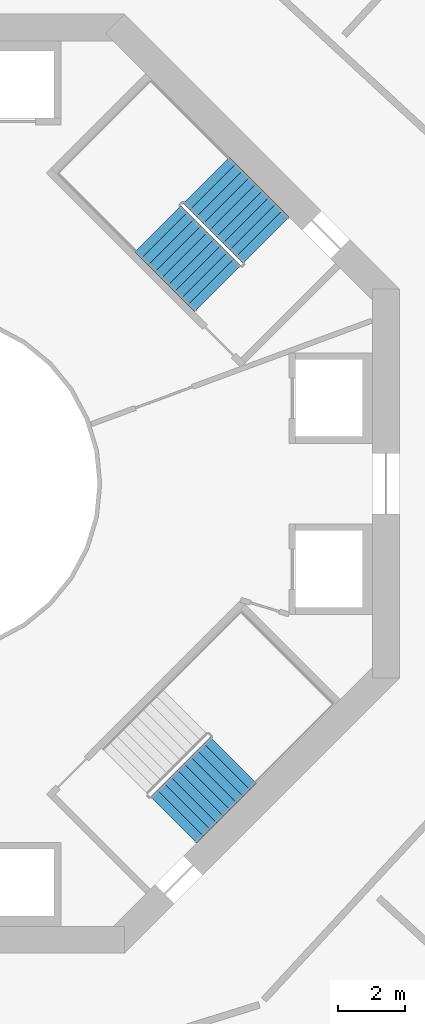
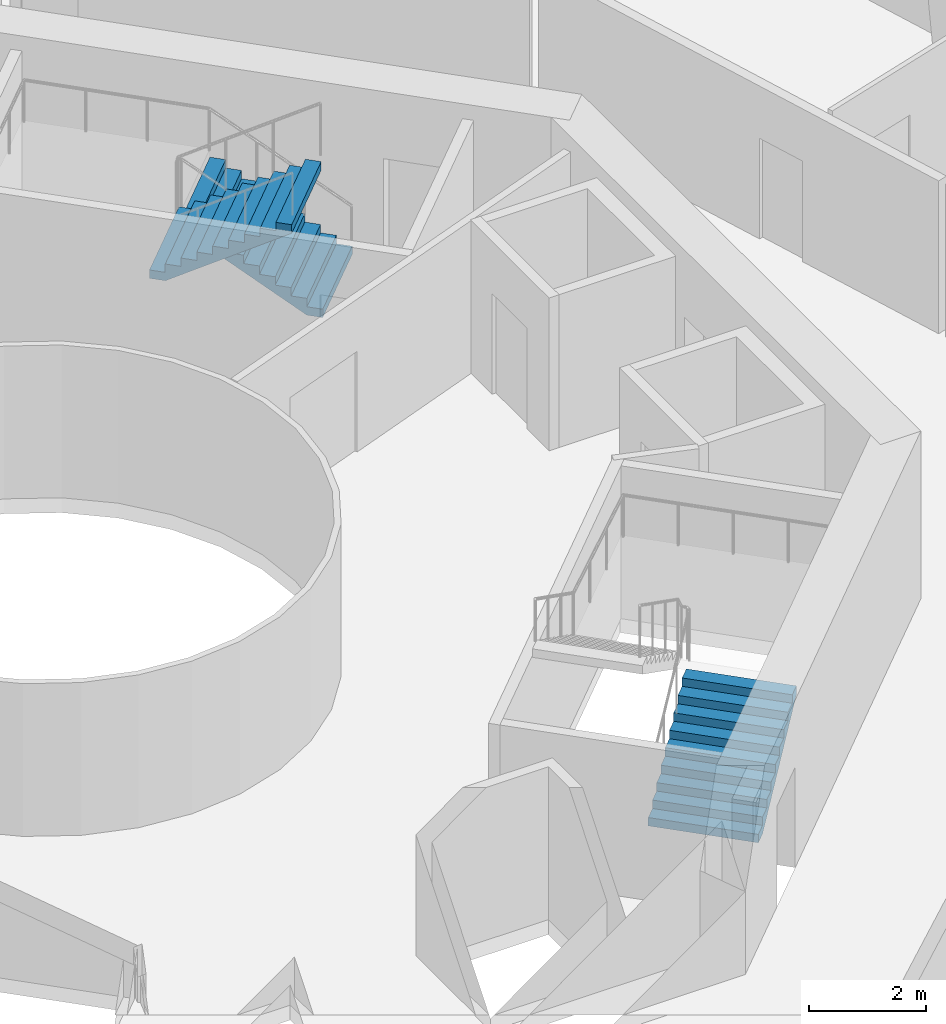
# One storey, part 24 of 25: 3 stair flights, 2 elements without a shape of their own.
"""IFC4 building model written with IfcOpenShell, lengths in metres."""

import ifcopenshell
import ifcopenshell.guid

model = None  # the IFC model being written
_history = None  # IfcOwnerHistory: only IFC2X3 demands one
_inside = {}  # id of a spatial element -> (the spatial element, [elements in it])
_under = {}  # id of a project, library or spatial element -> (it, [spatial elements below it])
_declared = {}  # id of a project -> (the project, [libraries it declares])
_typed = {}  # id of a type object -> (the type object, [elements of that type])
_made_of = {}  # id of a material, layer set ... -> (it, [elements and type objects made of it])


def new_model(schema):
    """Start an empty IFC model of exactly this schema.

    Asked for "IFC4X3", IfcOpenShell would pick the latest addendum, in which some entities
    have other attributes; the version numbers below select the first issue.
    IFC2X3 requires an IfcOwnerHistory on every rooted entity: one is made here for all.
    """
    global model, _history
    if schema == "IFC4X3":
        model = ifcopenshell.file(schema_version=(4, 3, 0, 0))
    else:
        model = ifcopenshell.file(schema=schema)
    _inside.clear()
    _under.clear()
    _declared.clear()
    _typed.clear()
    _made_of.clear()
    _history = None
    if model.schema == "IFC2X3":
        org = make("IfcOrganization", Name="unknown")
        user = make(
            "IfcPersonAndOrganization",
            ThePerson=make("IfcPerson", FamilyName="unknown"),
            TheOrganization=org,
        )
        app = make(
            "IfcApplication",
            ApplicationDeveloper=org,
            Version="unknown",
            ApplicationFullName="unknown",
            ApplicationIdentifier="unknown",
        )
        _history = make(
            "IfcOwnerHistory",
            OwningUser=user,
            OwningApplication=app,
            ChangeAction="ADDED",
            CreationDate=0,
        )
    return model


def make(cls, **values):
    """One entity of the class cls with the attributes given. An attribute that is None is left unset."""
    return model.create_entity(
        cls, **{name: value for name, value in values.items() if value is not None}
    )


def rooted(cls, **values):
    """An entity with a GlobalId (a new one), such as an element, a storey or a relation."""
    return make(cls, GlobalId=ifcopenshell.guid.new(), OwnerHistory=_history, **values)


def si_unit(unit_type, name, prefix=None):
    """IfcSIUnit, for example si_unit("LENGTHUNIT", "METRE", prefix="MILLI")."""
    return make("IfcSIUnit", UnitType=unit_type, Prefix=prefix, Name=name)


def assignment(units):
    """IfcUnitAssignment: the units of a project."""
    return None if units is None else make("IfcUnitAssignment", Units=units)


def point(xyz):
    """IfcCartesianPoint."""
    return None if xyz is None else make("IfcCartesianPoint", Coordinates=xyz)


def direction(xyz):
    """IfcDirection."""
    return None if xyz is None else make("IfcDirection", DirectionRatios=xyz)


def frame(location, z_axis=None, x_axis=None):
    """IfcAxis2Placement3D, a coordinate frame: its origin and axes. An axis left out is left unset."""
    return make(
        "IfcAxis2Placement3D",
        Location=point(location),
        Axis=direction(z_axis),
        RefDirection=direction(x_axis),
    )


def origin():
    """The frame at (0, 0, 0) with its axes left unset."""
    return frame((0.0, 0.0, 0.0))


def place(relative_to, where):
    """IfcLocalPlacement: puts the frame where relative to a parent placement (None: the world)."""
    return make(
        "IfcLocalPlacement", PlacementRelTo=relative_to, RelativePlacement=where
    )


def context(
    kind, dimensions, precision=None, world=None, true_north=None, identifier=None
):
    """IfcGeometricRepresentationContext, for example the 3D "Model" context."""
    return make(
        "IfcGeometricRepresentationContext",
        ContextIdentifier=identifier,
        ContextType=kind,
        CoordinateSpaceDimension=dimensions,
        Precision=precision,
        WorldCoordinateSystem=world,
        TrueNorth=true_north,
    )


def subcontext(parent, identifier, kind, view, scale=None):
    """IfcGeometricRepresentationSubContext, for example "Body" below "Model"."""
    return make(
        "IfcGeometricRepresentationSubContext",
        ContextIdentifier=identifier,
        ContextType=kind,
        ParentContext=parent,
        TargetScale=scale,
        TargetView=view,
    )


def project(units=None, contexts=None):
    """IfcProject with its units and contexts."""
    return rooted(
        "IfcProject",
        Name="project",
        RepresentationContexts=contexts,
        UnitsInContext=assignment(units),
    )


def spatial(cls, under=None, at=None, **own):
    """A site, building, storey or space (cls), placed at a placement, below another one or the project."""
    s = rooted(cls, ObjectPlacement=at, **own)
    if under is not None:
        _under.setdefault(under.id(), (under, []))[1].append(s)
    return s


def point_list(points):
    """IfcCartesianPointList2D or 3D."""
    cls = (
        "IfcCartesianPointList2D" if len(points[0]) == 2 else "IfcCartesianPointList3D"
    )
    return make(cls, CoordList=points)


def triangles(points, corners, closed=None, point_numbers=None):
    """IfcTriangulatedFaceSet: each triangle names its three corners, points numbered from 1."""
    return make(
        "IfcTriangulatedFaceSet",
        Coordinates=point_list(points),
        Closed=closed,
        CoordIndex=corners,
        PnIndex=point_numbers,
    )


def shape(context_of_items, identifier, shape_type, items):
    """IfcShapeRepresentation: the items that make up one representation, for example the "Body"."""
    return make(
        "IfcShapeRepresentation",
        ContextOfItems=context_of_items,
        RepresentationIdentifier=identifier,
        RepresentationType=shape_type,
        Items=items,
    )


def material(Name=None, Category=None):
    """IfcMaterial."""
    return make("IfcMaterial", Name=Name, Category=Category)


def made_of(thing, what):
    """Note that an element or type object is made of a material, layer set ...; save() writes the relation."""
    if what is not None:
        _made_of.setdefault(what.id(), (what, []))[1].append(thing)
    return thing


def type_object(cls, material=None, **own):
    """A type object (cls), such as IfcWallType, which elements share."""
    return made_of(rooted(cls, **own), material)


def element(
    cls,
    number,
    at=None,
    inside=None,
    cuts=None,
    type_object=None,
    material=None,
    context=None,
    identifier="Body",
    shape_type=None,
    held_by="IfcProductDefinitionShape",
    body=None,
    shapes=None,
    **own,
):
    """One element of the class cls, such as IfcWall. Its Tag is "e" and its number.

    at: its placement. inside: the storey or other place that contains it. cuts: it is an
    opening in that element (IfcRelVoidsElement). A single representation is given by context,
    identifier, shape_type and body (its items); several are given by shapes. held_by: the class
    of the entity that holds the representations. save() writes the other relations.
    """
    e = rooted(cls, Tag="e%d" % number, ObjectPlacement=at, **own)
    if body is not None:
        shapes = [shape(context, identifier, shape_type, body)]
    if shapes is not None:
        e.Representation = make(held_by, Representations=shapes)
    if inside is not None:
        _inside.setdefault(inside.id(), (inside, []))[1].append(e)
    if cuts is not None:
        rooted(
            "IfcRelVoidsElement", RelatingBuildingElement=cuts, RelatedOpeningElement=e
        )
    if type_object is not None:
        _typed.setdefault(type_object.id(), (type_object, []))[1].append(e)
    return made_of(e, material)


def aggregate(whole, parts):
    """IfcRelAggregates: a whole, such as a stair, and the parts it consists of."""
    return rooted("IfcRelAggregates", RelatingObject=whole, RelatedObjects=parts)


def save(model, path):
    """Write the relations noted so far, then the file.

    IfcRelAggregates (storeys below a building ...), IfcRelContainedInSpatialStructure (elements
    in a storey), IfcRelDefinesByType, IfcRelAssociatesMaterial and IfcRelDeclares: one each for
    every whole, place, type object, material and project.
    """
    for whole, parts in _under.values():
        aggregate(whole, parts)
    for where, things in _inside.values():
        rooted(
            "IfcRelContainedInSpatialStructure",
            RelatedElements=things,
            RelatingStructure=where,
        )
    for kind, things in _typed.values():
        rooted("IfcRelDefinesByType", RelatedObjects=things, RelatingType=kind)
    for what, things in _made_of.values():
        rooted("IfcRelAssociatesMaterial", RelatedObjects=things, RelatingMaterial=what)
    for by, libraries in _declared.values():
        rooted("IfcRelDeclares", RelatingContext=by, RelatedDefinitions=libraries)
    model.write(path)


model = new_model("IFC4")

# Units and contexts
model_context = context("Model", 3, precision=1e-05, world=origin(), true_north=direction((0.0, 1.0)))
body_context = subcontext(model_context, "Body", "Model", "MODEL_VIEW")
ifc_project = project(units=[si_unit("LENGTHUNIT", "METRE"), si_unit("AREAUNIT", "SQUARE_METRE"), si_unit("VOLUMEUNIT", "CUBIC_METRE"), si_unit("PLANEANGLEUNIT", "RADIAN"), si_unit("MASSUNIT", "GRAM", prefix="KILO")], contexts=[model_context])

# Site, building, storey
site_placement = place(None, origin())
site = spatial("IfcSite", under=ifc_project, at=site_placement, CompositionType="ELEMENT")
building_placement = place(site_placement, origin())
building = spatial("IfcBuilding", under=site, at=building_placement, Name="Verdalira Terraces Hotel", CompositionType="ELEMENT")
storey_placement = place(building_placement, frame((0.0, 0.0, 103.5)))
storey = spatial("IfcBuildingStorey", under=building, at=storey_placement, Name="L24", CompositionType="ELEMENT", Elevation=103.5)

# Stair, stair flights
ifc_material_1 = material(Name="Concrete C40", Category="concrete")
stair_type = type_object("IfcStairType", Name="Core stair 20 risers 1950 mm wide", PredefinedType="HALF_TURN_STAIR", material=ifc_material_1)
stair_1_placement = place(storey_placement, origin())
stair_1 = element("IfcStair", 1, at=stair_1_placement, inside=storey, type_object=stair_type, Name="L24 Exit stair ST1", PredefinedType="HALF_TURN_STAIR")
ifc_material_2 = material(Name="Concrete C40", Category="concrete")
stair_flight_type = type_object("IfcStairFlightType", Name="Core stair flight 20 risers 1950 mm wide", PredefinedType="STRAIGHT", material=ifc_material_2)
stair_flight_1_placement = place(storey_placement, frame((10.023193, 7.265625, 0.0), z_axis=(0.0, 0.0, 1.0), x_axis=(-0.707106781, 0.707106781, 0.0)))
stair_flight_1 = element("IfcStairFlight", 2, at=stair_flight_1_placement, type_object=stair_flight_type, Name="ST1 flight 1", NumberOfRisers=10, NumberOfTreads=9, PredefinedType="STRAIGHT", RiserHeight=0.175, TreadLength=0.28, context=body_context, shape_type="Tessellation", body=[
    triangles([(0.0, 0.974976, 0.0), (0.282715, 0.974976, 0.0), (2.52002, 0.974976, 1.398193), (0.0, -0.974976, 0.0), (0.282715, -0.974976, 0.0), (2.52002, -0.974976, 1.398193), (2.52002, 0.974976, 1.574951), (2.23999, 0.974976, 1.574951), (2.52002, -0.974976, 1.574951), (2.23999, -0.974976, 1.574951), (2.23999, 0.974976, 1.399902), (2.23999, -0.974976, 1.399902), (1.959961, 0.974976, 1.399902), (1.959961, -0.974976, 1.399902), (1.959961, 0.974976, 1.225098), (1.959961, -0.974976, 1.225098), (1.679932, 0.974976, 1.225098), (1.679932, 0.974976, 1.050049), (1.679932, -0.974976, 1.225098), (1.679932, -0.974976, 1.050049), (1.399902, 0.974976, 1.050049), (1.399902, 0.974976, 0.875), (1.399902, -0.974976, 1.050049), (1.399902, -0.974976, 0.875), (1.120117, 0.974976, 0.875), (1.120117, 0.974976, 0.699951), (1.120117, -0.974976, 0.875), (1.120117, -0.974976, 0.699951), (0.840088, 0.974976, 0.699951), (0.840088, 0.974976, 0.524902), (0.840088, -0.974976, 0.699951), (0.840088, -0.974976, 0.524902), (0.560059, 0.974976, 0.524902), (0.560059, 0.974976, 0.350098), (0.560059, -0.974976, 0.524902), (0.560059, -0.974976, 0.350098), (0.280029, 0.974976, 0.350098), (0.280029, 0.974976, 0.175049), (0.280029, -0.974976, 0.350098), (0.280029, -0.974976, 0.175049), (0.0, 0.974976, 0.175049), (0.0, -0.974976, 0.175049), (0.0, -0.91404, 0.0), (0.0, -0.91404, 0.175049), (0.0, -0.853104, 0.0), (0.0, -0.853104, 0.175049), (0.0, -0.792168, 0.0), (0.0, -0.792168, 0.175049), (0.0, -0.731232, 0.0), (0.0, -0.731232, 0.175049), (0.0, -0.670296, 0.0), (0.0, -0.670296, 0.175049), (0.0, -0.60936, 0.0), (0.0, -0.60936, 0.175049), (0.0, -0.548424, 0.0), (0.0, -0.548424, 0.175049), (0.0, -0.487488, 0.0), (0.0, -0.487488, 0.175049), (0.0, -0.426552, 0.0), (0.0, -0.426552, 0.175049), (0.0, -0.365616, 0.0), (0.0, -0.365616, 0.175049), (0.0, -0.30468, 0.0), (0.0, -0.30468, 0.175049), (0.0, -0.243744, 0.0), (0.0, -0.243744, 0.175049), (0.0, -0.182808, 0.0), (0.0, -0.182808, 0.175049), (0.0, -0.121872, 0.0), (0.0, -0.121872, 0.175049), (0.0, -0.060936, 0.0), (0.0, -0.060936, 0.175049), (0.0, 0.0, 0.0), (0.0, 0.0, 0.175049), (0.0, 0.060936, 0.0), (0.0, 0.060936, 0.175049), (0.0, 0.121872, 0.0), (0.0, 0.121872, 0.175049), (0.0, 0.182808, 0.0), (0.0, 0.182808, 0.175049), (0.0, 0.243744, 0.0), (0.0, 0.243744, 0.175049), (0.0, 0.30468, 0.0), (0.0, 0.30468, 0.175049), (0.0, 0.365616, 0.0), (0.0, 0.365616, 0.175049), (0.0, 0.426552, 0.0), (0.0, 0.426552, 0.175049), (0.0, 0.487488, 0.0), (0.0, 0.487488, 0.175049), (0.0, 0.548424, 0.0), (0.0, 0.548424, 0.175049), (0.0, 0.60936, 0.0), (0.0, 0.60936, 0.175049), (0.0, 0.670296, 0.0), (0.0, 0.670296, 0.175049), (0.0, 0.731232, 0.0), (0.0, 0.731232, 0.175049), (0.0, 0.792168, 0.0), (0.0, 0.792168, 0.175049), (0.0, 0.853104, 0.0), (0.0, 0.853104, 0.175049), (0.0, 0.91404, 0.0), (0.0, 0.91404, 0.175049), (2.52002, -0.91404, 1.574951), (2.52002, -0.853104, 1.574951), (2.52002, -0.792168, 1.574951), (2.52002, -0.731232, 1.574951), (2.52002, -0.670296, 1.574951), (2.52002, -0.60936, 1.574951), (2.52002, -0.548424, 1.574951), (2.52002, -0.487488, 1.574951), (2.52002, -0.426552, 1.574951), (2.52002, -0.365616, 1.574951), (2.52002, -0.30468, 1.574951), (2.52002, -0.243744, 1.574951), (2.52002, -0.182808, 1.574951), (2.52002, -0.121872, 1.574951), (2.52002, -0.060936, 1.574951), (2.52002, 0.0, 1.574951), (2.52002, 0.060936, 1.574951), (2.52002, 0.121872, 1.574951), (2.52002, 0.182808, 1.574951), (2.52002, 0.243744, 1.574951), (2.52002, 0.30468, 1.574951), (2.52002, 0.365616, 1.574951), (2.52002, 0.426552, 1.574951), (2.52002, 0.487488, 1.574951), (2.52002, 0.548424, 1.574951), (2.52002, 0.60936, 1.574951), (2.52002, 0.670296, 1.574951), (2.52002, 0.731232, 1.574951), (2.52002, 0.792168, 1.574951), (2.52002, 0.853104, 1.574951), (2.52002, 0.91404, 1.574951), (2.52002, -0.91404, 1.398193), (2.52002, -0.853104, 1.398193), (2.52002, -0.792168, 1.398193), (2.52002, -0.731232, 1.398193), (2.52002, -0.670296, 1.398193), (2.52002, -0.60936, 1.398193), (2.52002, -0.548424, 1.398193), (2.52002, -0.487488, 1.398193), (2.52002, -0.426552, 1.398193), (2.52002, -0.365616, 1.398193), (2.52002, -0.30468, 1.398193), (2.52002, -0.243744, 1.398193), (2.52002, -0.182808, 1.398193), (2.52002, -0.121872, 1.398193), (2.52002, -0.060936, 1.398193), (2.52002, 0.0, 1.398193), (2.52002, 0.060936, 1.398193), (2.52002, 0.121872, 1.398193), (2.52002, 0.182808, 1.398193), (2.52002, 0.243744, 1.398193), (2.52002, 0.30468, 1.398193), (2.52002, 0.365616, 1.398193), (2.52002, 0.426552, 1.398193), (2.52002, 0.487488, 1.398193), (2.52002, 0.548424, 1.398193), (2.52002, 0.60936, 1.398193), (2.52002, 0.670296, 1.398193), (2.52002, 0.731232, 1.398193), (2.52002, 0.792168, 1.398193), (2.52002, 0.853104, 1.398193), (2.52002, 0.91404, 1.398193)], [[1, 3, 2], [4, 5, 6], [3, 8, 7], [6, 9, 10], [3, 11, 8], [6, 10, 12], [3, 13, 11], [6, 12, 14], [3, 15, 13], [6, 14, 16], [15, 18, 17], [16, 19, 20], [3, 18, 15], [6, 16, 20], [18, 22, 21], [20, 23, 24], [3, 22, 18], [6, 20, 24], [22, 26, 25], [24, 27, 28], [3, 26, 22], [6, 24, 28], [26, 30, 29], [28, 31, 32], [3, 30, 26], [6, 28, 32], [1, 30, 3], [4, 6, 32], [30, 34, 33], [32, 35, 36], [34, 38, 37], [36, 39, 40], [30, 38, 34], [32, 36, 40], [1, 38, 30], [4, 32, 40], [38, 1, 41], [40, 42, 4], [4, 44, 43], [4, 42, 44], [43, 46, 45], [43, 44, 46], [45, 48, 47], [45, 46, 48], [47, 50, 49], [47, 48, 50], [49, 52, 51], [49, 50, 52], [51, 54, 53], [51, 52, 54], [53, 56, 55], [53, 54, 56], [55, 58, 57], [55, 56, 58], [57, 60, 59], [57, 58, 60], [59, 62, 61], [59, 60, 62], [61, 64, 63], [61, 62, 64], [63, 66, 65], [63, 64, 66], [65, 68, 67], [65, 66, 68], [67, 70, 69], [67, 68, 70], [69, 72, 71], [69, 70, 72], [71, 74, 73], [71, 72, 74], [73, 76, 75], [73, 74, 76], [75, 78, 77], [75, 76, 78], [77, 80, 79], [77, 78, 80], [79, 82, 81], [79, 80, 82], [81, 84, 83], [81, 82, 84], [83, 86, 85], [83, 84, 86], [85, 88, 87], [85, 86, 88], [87, 90, 89], [87, 88, 90], [89, 92, 91], [89, 90, 92], [91, 94, 93], [91, 92, 94], [93, 96, 95], [93, 94, 96], [95, 98, 97], [95, 96, 98], [97, 100, 99], [97, 98, 100], [99, 102, 101], [99, 100, 102], [101, 104, 103], [101, 102, 104], [103, 41, 1], [103, 104, 41], [42, 40, 44], [44, 40, 46], [46, 40, 48], [48, 40, 50], [50, 40, 52], [52, 40, 54], [54, 40, 56], [56, 40, 58], [58, 40, 60], [60, 40, 62], [62, 40, 64], [64, 40, 66], [66, 40, 68], [68, 40, 70], [70, 40, 72], [72, 40, 74], [74, 40, 76], [76, 40, 78], [78, 40, 80], [80, 40, 82], [82, 40, 84], [84, 40, 86], [86, 40, 88], [88, 40, 90], [90, 40, 92], [92, 40, 94], [94, 40, 96], [96, 40, 98], [98, 40, 100], [100, 40, 102], [102, 40, 104], [104, 40, 41], [41, 40, 38], [40, 37, 38], [40, 39, 37], [39, 34, 37], [39, 36, 34], [36, 33, 34], [36, 35, 33], [35, 30, 33], [35, 32, 30], [32, 29, 30], [32, 31, 29], [31, 26, 29], [31, 28, 26], [28, 25, 26], [28, 27, 25], [27, 22, 25], [27, 24, 22], [24, 21, 22], [24, 23, 21], [23, 18, 21], [23, 20, 18], [20, 17, 18], [20, 19, 17], [19, 15, 17], [19, 16, 15], [16, 13, 15], [16, 14, 13], [14, 11, 13], [14, 12, 11], [12, 8, 11], [12, 10, 8], [9, 105, 10], [105, 106, 10], [106, 107, 10], [107, 108, 10], [108, 109, 10], [109, 110, 10], [110, 111, 10], [111, 112, 10], [112, 113, 10], [113, 114, 10], [114, 115, 10], [115, 116, 10], [116, 117, 10], [117, 118, 10], [118, 119, 10], [119, 120, 10], [120, 121, 10], [121, 122, 10], [122, 123, 10], [123, 124, 10], [124, 125, 10], [125, 126, 10], [126, 127, 10], [127, 128, 10], [128, 129, 10], [129, 130, 10], [130, 131, 10], [131, 132, 10], [132, 133, 10], [133, 134, 10], [134, 135, 10], [135, 7, 10], [7, 8, 10], [9, 136, 105], [9, 6, 136], [105, 137, 106], [105, 136, 137], [106, 138, 107], [106, 137, 138], [107, 139, 108], [107, 138, 139], [108, 140, 109], [108, 139, 140], [109, 141, 110], [109, 140, 141], [110, 142, 111], [110, 141, 142], [111, 143, 112], [111, 142, 143], [112, 144, 113], [112, 143, 144], [113, 145, 114], [113, 144, 145], [114, 146, 115], [114, 145, 146], [115, 147, 116], [115, 146, 147], [116, 148, 117], [116, 147, 148], [117, 149, 118], [117, 148, 149], [118, 150, 119], [118, 149, 150], [119, 151, 120], [119, 150, 151], [120, 152, 121], [120, 151, 152], [121, 153, 122], [121, 152, 153], [122, 154, 123], [122, 153, 154], [123, 155, 124], [123, 154, 155], [124, 156, 125], [124, 155, 156], [125, 157, 126], [125, 156, 157], [126, 158, 127], [126, 157, 158], [127, 159, 128], [127, 158, 159], [128, 160, 129], [128, 159, 160], [129, 161, 130], [129, 160, 161], [130, 162, 131], [130, 161, 162], [131, 163, 132], [131, 162, 163], [132, 164, 133], [132, 163, 164], [133, 165, 134], [133, 164, 165], [134, 166, 135], [134, 165, 166], [135, 3, 7], [135, 166, 3], [6, 5, 136], [136, 5, 137], [137, 5, 138], [138, 5, 139], [139, 5, 140], [140, 5, 141], [141, 5, 142], [142, 5, 143], [143, 5, 144], [144, 5, 145], [145, 5, 146], [146, 5, 147], [147, 5, 148], [148, 5, 149], [149, 5, 150], [150, 5, 151], [151, 5, 152], [152, 5, 153], [153, 5, 154], [154, 5, 155], [155, 5, 156], [156, 5, 157], [157, 5, 158], [158, 5, 159], [159, 5, 160], [160, 5, 161], [161, 5, 162], [162, 5, 163], [163, 5, 164], [164, 5, 165], [165, 5, 166], [166, 5, 3], [3, 5, 2], [4, 43, 5], [43, 45, 5], [45, 47, 5], [47, 49, 5], [49, 51, 5], [51, 53, 5], [53, 55, 5], [55, 57, 5], [57, 59, 5], [59, 61, 5], [61, 63, 5], [63, 65, 5], [65, 67, 5], [67, 69, 5], [69, 71, 5], [71, 73, 5], [73, 75, 5], [75, 77, 5], [77, 79, 5], [79, 81, 5], [81, 83, 5], [83, 85, 5], [85, 87, 5], [87, 89, 5], [89, 91, 5], [91, 93, 5], [93, 95, 5], [95, 97, 5], [97, 99, 5], [99, 101, 5], [101, 103, 5], [103, 1, 5], [1, 2, 5]], closed=True),
])
stair_flight_2_placement = place(storey_placement, frame((6.791748, 7.5979, 1.75), z_axis=(0.0, 0.0, 1.0), x_axis=(0.707106781, -0.707106781, 0.0)))
stair_flight_2 = element("IfcStairFlight", 3, at=stair_flight_2_placement, type_object=stair_flight_type, Name="ST1 flight 2", NumberOfRisers=10, NumberOfTreads=9, PredefinedType="STRAIGHT", RiserHeight=0.175, TreadLength=0.28, context=body_context, shape_type="Tessellation", body=[
    triangles([(0.0, 0.974976, 0.0), (0.282715, 0.974976, 0.0), (2.52002, 0.974976, 1.398193), (0.0, -0.974976, 0.0), (0.282715, -0.974976, 0.0), (2.52002, -0.974976, 1.398193), (2.52002, 0.974976, 1.574951), (2.23999, 0.974976, 1.574951), (2.52002, -0.974976, 1.574951), (2.23999, -0.974976, 1.574951), (2.23999, 0.974976, 1.399902), (2.23999, -0.974976, 1.399902), (1.959961, 0.974976, 1.399902), (1.959961, -0.974976, 1.399902), (1.959961, 0.974976, 1.225098), (1.959961, -0.974976, 1.225098), (1.679932, 0.974976, 1.225098), (1.679932, 0.974976, 1.050049), (1.679932, -0.974976, 1.225098), (1.679932, -0.974976, 1.050049), (1.399902, 0.974976, 1.050049), (1.399902, 0.974976, 0.875), (1.399902, -0.974976, 1.050049), (1.399902, -0.974976, 0.875), (1.120117, 0.974976, 0.875), (1.120117, 0.974976, 0.699951), (1.120117, -0.974976, 0.875), (1.120117, -0.974976, 0.699951), (0.840088, 0.974976, 0.699951), (0.840088, 0.974976, 0.524902), (0.840088, -0.974976, 0.699951), (0.840088, -0.974976, 0.524902), (0.560059, 0.974976, 0.524902), (0.560059, 0.974976, 0.350098), (0.560059, -0.974976, 0.524902), (0.560059, -0.974976, 0.350098), (0.280029, 0.974976, 0.350098), (0.280029, 0.974976, 0.175049), (0.280029, -0.974976, 0.350098), (0.280029, -0.974976, 0.175049), (0.0, 0.974976, 0.175049), (0.0, -0.974976, 0.175049), (0.0, -0.91404, 0.0), (0.0, -0.91404, 0.175049), (0.0, -0.853104, 0.0), (0.0, -0.853104, 0.175049), (0.0, -0.792168, 0.0), (0.0, -0.792168, 0.175049), (0.0, -0.731232, 0.0), (0.0, -0.731232, 0.175049), (0.0, -0.670296, 0.0), (0.0, -0.670296, 0.175049), (0.0, -0.60936, 0.0), (0.0, -0.60936, 0.175049), (0.0, -0.548424, 0.0), (0.0, -0.548424, 0.175049), (0.0, -0.487488, 0.0), (0.0, -0.487488, 0.175049), (0.0, -0.426552, 0.0), (0.0, -0.426552, 0.175049), (0.0, -0.365616, 0.0), (0.0, -0.365616, 0.175049), (0.0, -0.30468, 0.0), (0.0, -0.30468, 0.175049), (0.0, -0.243744, 0.0), (0.0, -0.243744, 0.175049), (0.0, -0.182808, 0.0), (0.0, -0.182808, 0.175049), (0.0, -0.121872, 0.0), (0.0, -0.121872, 0.175049), (0.0, -0.060936, 0.0), (0.0, -0.060936, 0.175049), (0.0, 0.0, 0.0), (0.0, 0.0, 0.175049), (0.0, 0.060936, 0.0), (0.0, 0.060936, 0.175049), (0.0, 0.121872, 0.0), (0.0, 0.121872, 0.175049), (0.0, 0.182808, 0.0), (0.0, 0.182808, 0.175049), (0.0, 0.243744, 0.0), (0.0, 0.243744, 0.175049), (0.0, 0.30468, 0.0), (0.0, 0.30468, 0.175049), (0.0, 0.365616, 0.0), (0.0, 0.365616, 0.175049), (0.0, 0.426552, 0.0), (0.0, 0.426552, 0.175049), (0.0, 0.487488, 0.0), (0.0, 0.487488, 0.175049), (0.0, 0.548424, 0.0), (0.0, 0.548424, 0.175049), (0.0, 0.60936, 0.0), (0.0, 0.60936, 0.175049), (0.0, 0.670296, 0.0), (0.0, 0.670296, 0.175049), (0.0, 0.731232, 0.0), (0.0, 0.731232, 0.175049), (0.0, 0.792168, 0.0), (0.0, 0.792168, 0.175049), (0.0, 0.853104, 0.0), (0.0, 0.853104, 0.175049), (0.0, 0.91404, 0.0), (0.0, 0.91404, 0.175049), (2.52002, -0.91404, 1.574951), (2.52002, -0.853104, 1.574951), (2.52002, -0.792168, 1.574951), (2.52002, -0.731232, 1.574951), (2.52002, -0.670296, 1.574951), (2.52002, -0.60936, 1.574951), (2.52002, -0.548424, 1.574951), (2.52002, -0.487488, 1.574951), (2.52002, -0.426552, 1.574951), (2.52002, -0.365616, 1.574951), (2.52002, -0.30468, 1.574951), (2.52002, -0.243744, 1.574951), (2.52002, -0.182808, 1.574951), (2.52002, -0.121872, 1.574951), (2.52002, -0.060936, 1.574951), (2.52002, 0.0, 1.574951), (2.52002, 0.060936, 1.574951), (2.52002, 0.121872, 1.574951), (2.52002, 0.182808, 1.574951), (2.52002, 0.243744, 1.574951), (2.52002, 0.30468, 1.574951), (2.52002, 0.365616, 1.574951), (2.52002, 0.426552, 1.574951), (2.52002, 0.487488, 1.574951), (2.52002, 0.548424, 1.574951), (2.52002, 0.60936, 1.574951), (2.52002, 0.670296, 1.574951), (2.52002, 0.731232, 1.574951), (2.52002, 0.792168, 1.574951), (2.52002, 0.853104, 1.574951), (2.52002, 0.91404, 1.574951), (2.52002, -0.91404, 1.398193), (2.52002, -0.853104, 1.398193), (2.52002, -0.792168, 1.398193), (2.52002, -0.731232, 1.398193), (2.52002, -0.670296, 1.398193), (2.52002, -0.60936, 1.398193), (2.52002, -0.548424, 1.398193), (2.52002, -0.487488, 1.398193), (2.52002, -0.426552, 1.398193), (2.52002, -0.365616, 1.398193), (2.52002, -0.30468, 1.398193), (2.52002, -0.243744, 1.398193), (2.52002, -0.182808, 1.398193), (2.52002, -0.121872, 1.398193), (2.52002, -0.060936, 1.398193), (2.52002, 0.0, 1.398193), (2.52002, 0.060936, 1.398193), (2.52002, 0.121872, 1.398193), (2.52002, 0.182808, 1.398193), (2.52002, 0.243744, 1.398193), (2.52002, 0.30468, 1.398193), (2.52002, 0.365616, 1.398193), (2.52002, 0.426552, 1.398193), (2.52002, 0.487488, 1.398193), (2.52002, 0.548424, 1.398193), (2.52002, 0.60936, 1.398193), (2.52002, 0.670296, 1.398193), (2.52002, 0.731232, 1.398193), (2.52002, 0.792168, 1.398193), (2.52002, 0.853104, 1.398193), (2.52002, 0.91404, 1.398193)], [[1, 3, 2], [4, 5, 6], [3, 8, 7], [6, 9, 10], [3, 11, 8], [6, 10, 12], [3, 13, 11], [6, 12, 14], [3, 15, 13], [6, 14, 16], [15, 18, 17], [16, 19, 20], [3, 18, 15], [6, 16, 20], [18, 22, 21], [20, 23, 24], [3, 22, 18], [6, 20, 24], [22, 26, 25], [24, 27, 28], [3, 26, 22], [6, 24, 28], [26, 30, 29], [28, 31, 32], [3, 30, 26], [6, 28, 32], [1, 30, 3], [4, 6, 32], [30, 34, 33], [32, 35, 36], [34, 38, 37], [36, 39, 40], [30, 38, 34], [32, 36, 40], [1, 38, 30], [4, 32, 40], [38, 1, 41], [40, 42, 4], [4, 44, 43], [4, 42, 44], [43, 46, 45], [43, 44, 46], [45, 48, 47], [45, 46, 48], [47, 50, 49], [47, 48, 50], [49, 52, 51], [49, 50, 52], [51, 54, 53], [51, 52, 54], [53, 56, 55], [53, 54, 56], [55, 58, 57], [55, 56, 58], [57, 60, 59], [57, 58, 60], [59, 62, 61], [59, 60, 62], [61, 64, 63], [61, 62, 64], [63, 66, 65], [63, 64, 66], [65, 68, 67], [65, 66, 68], [67, 70, 69], [67, 68, 70], [69, 72, 71], [69, 70, 72], [71, 74, 73], [71, 72, 74], [73, 76, 75], [73, 74, 76], [75, 78, 77], [75, 76, 78], [77, 80, 79], [77, 78, 80], [79, 82, 81], [79, 80, 82], [81, 84, 83], [81, 82, 84], [83, 86, 85], [83, 84, 86], [85, 88, 87], [85, 86, 88], [87, 90, 89], [87, 88, 90], [89, 92, 91], [89, 90, 92], [91, 94, 93], [91, 92, 94], [93, 96, 95], [93, 94, 96], [95, 98, 97], [95, 96, 98], [97, 100, 99], [97, 98, 100], [99, 102, 101], [99, 100, 102], [101, 104, 103], [101, 102, 104], [103, 41, 1], [103, 104, 41], [42, 40, 44], [44, 40, 46], [46, 40, 48], [48, 40, 50], [50, 40, 52], [52, 40, 54], [54, 40, 56], [56, 40, 58], [58, 40, 60], [60, 40, 62], [62, 40, 64], [64, 40, 66], [66, 40, 68], [68, 40, 70], [70, 40, 72], [72, 40, 74], [74, 40, 76], [76, 40, 78], [78, 40, 80], [80, 40, 82], [82, 40, 84], [84, 40, 86], [86, 40, 88], [88, 40, 90], [90, 40, 92], [92, 40, 94], [94, 40, 96], [96, 40, 98], [98, 40, 100], [100, 40, 102], [102, 40, 104], [104, 40, 41], [41, 40, 38], [40, 37, 38], [40, 39, 37], [39, 34, 37], [39, 36, 34], [36, 33, 34], [36, 35, 33], [35, 30, 33], [35, 32, 30], [32, 29, 30], [32, 31, 29], [31, 26, 29], [31, 28, 26], [28, 25, 26], [28, 27, 25], [27, 22, 25], [27, 24, 22], [24, 21, 22], [24, 23, 21], [23, 18, 21], [23, 20, 18], [20, 17, 18], [20, 19, 17], [19, 15, 17], [19, 16, 15], [16, 13, 15], [16, 14, 13], [14, 11, 13], [14, 12, 11], [12, 8, 11], [12, 10, 8], [9, 105, 10], [105, 106, 10], [106, 107, 10], [107, 108, 10], [108, 109, 10], [109, 110, 10], [110, 111, 10], [111, 112, 10], [112, 113, 10], [113, 114, 10], [114, 115, 10], [115, 116, 10], [116, 117, 10], [117, 118, 10], [118, 119, 10], [119, 120, 10], [120, 121, 10], [121, 122, 10], [122, 123, 10], [123, 124, 10], [124, 125, 10], [125, 126, 10], [126, 127, 10], [127, 128, 10], [128, 129, 10], [129, 130, 10], [130, 131, 10], [131, 132, 10], [132, 133, 10], [133, 134, 10], [134, 135, 10], [135, 7, 10], [7, 8, 10], [9, 136, 105], [9, 6, 136], [105, 137, 106], [105, 136, 137], [106, 138, 107], [106, 137, 138], [107, 139, 108], [107, 138, 139], [108, 140, 109], [108, 139, 140], [109, 141, 110], [109, 140, 141], [110, 142, 111], [110, 141, 142], [111, 143, 112], [111, 142, 143], [112, 144, 113], [112, 143, 144], [113, 145, 114], [113, 144, 145], [114, 146, 115], [114, 145, 146], [115, 147, 116], [115, 146, 147], [116, 148, 117], [116, 147, 148], [117, 149, 118], [117, 148, 149], [118, 150, 119], [118, 149, 150], [119, 151, 120], [119, 150, 151], [120, 152, 121], [120, 151, 152], [121, 153, 122], [121, 152, 153], [122, 154, 123], [122, 153, 154], [123, 155, 124], [123, 154, 155], [124, 156, 125], [124, 155, 156], [125, 157, 126], [125, 156, 157], [126, 158, 127], [126, 157, 158], [127, 159, 128], [127, 158, 159], [128, 160, 129], [128, 159, 160], [129, 161, 130], [129, 160, 161], [130, 162, 131], [130, 161, 162], [131, 163, 132], [131, 162, 163], [132, 164, 133], [132, 163, 164], [133, 165, 134], [133, 164, 165], [134, 166, 135], [134, 165, 166], [135, 3, 7], [135, 166, 3], [6, 5, 136], [136, 5, 137], [137, 5, 138], [138, 5, 139], [139, 5, 140], [140, 5, 141], [141, 5, 142], [142, 5, 143], [143, 5, 144], [144, 5, 145], [145, 5, 146], [146, 5, 147], [147, 5, 148], [148, 5, 149], [149, 5, 150], [150, 5, 151], [151, 5, 152], [152, 5, 153], [153, 5, 154], [154, 5, 155], [155, 5, 156], [156, 5, 157], [157, 5, 158], [158, 5, 159], [159, 5, 160], [160, 5, 161], [161, 5, 162], [162, 5, 163], [163, 5, 164], [164, 5, 165], [165, 5, 166], [166, 5, 3], [3, 5, 2], [4, 43, 5], [43, 45, 5], [45, 47, 5], [47, 49, 5], [49, 51, 5], [51, 53, 5], [53, 55, 5], [55, 57, 5], [57, 59, 5], [59, 61, 5], [61, 63, 5], [63, 65, 5], [65, 67, 5], [67, 69, 5], [69, 71, 5], [71, 73, 5], [73, 75, 5], [75, 77, 5], [77, 79, 5], [79, 81, 5], [81, 83, 5], [83, 85, 5], [85, 87, 5], [87, 89, 5], [89, 91, 5], [91, 93, 5], [93, 95, 5], [95, 97, 5], [97, 99, 5], [99, 101, 5], [101, 103, 5], [103, 1, 5], [1, 2, 5]], closed=True),
])
aggregate(stair_1, [stair_flight_1, stair_flight_2])

# Stair, stair flight
stair_2_placement = place(storey_placement, origin())
stair_2 = element("IfcStair", 4, at=stair_2_placement, inside=storey, type_object=stair_type, Name="L24 Exit stair ST3", PredefinedType="HALF_TURN_STAIR")
stair_flight_3_placement = place(storey_placement, frame((7.265625, -10.023193, 0.0), z_axis=(0.0, 0.0, 1.0), x_axis=(0.707106781, 0.707106781, 0.0)))
stair_flight_3 = element("IfcStairFlight", 5, at=stair_flight_3_placement, type_object=stair_flight_type, Name="ST3 flight 1", NumberOfRisers=10, NumberOfTreads=9, PredefinedType="STRAIGHT", RiserHeight=0.175, TreadLength=0.28, context=body_context, shape_type="Tessellation", body=[
    triangles([(0.0, 0.974976, 0.0), (0.282715, 0.974976, 0.0), (2.52002, 0.974976, 1.398193), (0.0, -0.974976, 0.0), (0.282715, -0.974976, 0.0), (2.52002, -0.974976, 1.398193), (2.52002, 0.974976, 1.574951), (2.23999, 0.974976, 1.574951), (2.52002, -0.974976, 1.574951), (2.23999, -0.974976, 1.574951), (2.23999, 0.974976, 1.399902), (2.23999, -0.974976, 1.399902), (1.959961, 0.974976, 1.399902), (1.959961, -0.974976, 1.399902), (1.959961, 0.974976, 1.225098), (1.959961, -0.974976, 1.225098), (1.679932, 0.974976, 1.225098), (1.679932, 0.974976, 1.050049), (1.679932, -0.974976, 1.225098), (1.679932, -0.974976, 1.050049), (1.399902, 0.974976, 1.050049), (1.399902, 0.974976, 0.875), (1.399902, -0.974976, 1.050049), (1.399902, -0.974976, 0.875), (1.120117, 0.974976, 0.875), (1.120117, 0.974976, 0.699951), (1.120117, -0.974976, 0.875), (1.120117, -0.974976, 0.699951), (0.840088, 0.974976, 0.699951), (0.840088, 0.974976, 0.524902), (0.840088, -0.974976, 0.699951), (0.840088, -0.974976, 0.524902), (0.560059, 0.974976, 0.524902), (0.560059, 0.974976, 0.350098), (0.560059, -0.974976, 0.524902), (0.560059, -0.974976, 0.350098), (0.280029, 0.974976, 0.350098), (0.280029, 0.974976, 0.175049), (0.280029, -0.974976, 0.350098), (0.280029, -0.974976, 0.175049), (0.0, 0.974976, 0.175049), (0.0, -0.974976, 0.175049), (0.0, -0.91404, 0.0), (0.0, -0.91404, 0.175049), (0.0, -0.853104, 0.0), (0.0, -0.853104, 0.175049), (0.0, -0.792168, 0.0), (0.0, -0.792168, 0.175049), (0.0, -0.731232, 0.0), (0.0, -0.731232, 0.175049), (0.0, -0.670296, 0.0), (0.0, -0.670296, 0.175049), (0.0, -0.60936, 0.0), (0.0, -0.60936, 0.175049), (0.0, -0.548424, 0.0), (0.0, -0.548424, 0.175049), (0.0, -0.487488, 0.0), (0.0, -0.487488, 0.175049), (0.0, -0.426552, 0.0), (0.0, -0.426552, 0.175049), (0.0, -0.365616, 0.0), (0.0, -0.365616, 0.175049), (0.0, -0.30468, 0.0), (0.0, -0.30468, 0.175049), (0.0, -0.243744, 0.0), (0.0, -0.243744, 0.175049), (0.0, -0.182808, 0.0), (0.0, -0.182808, 0.175049), (0.0, -0.121872, 0.0), (0.0, -0.121872, 0.175049), (0.0, -0.060936, 0.0), (0.0, -0.060936, 0.175049), (0.0, 0.0, 0.0), (0.0, 0.0, 0.175049), (0.0, 0.060936, 0.0), (0.0, 0.060936, 0.175049), (0.0, 0.121872, 0.0), (0.0, 0.121872, 0.175049), (0.0, 0.182808, 0.0), (0.0, 0.182808, 0.175049), (0.0, 0.243744, 0.0), (0.0, 0.243744, 0.175049), (0.0, 0.30468, 0.0), (0.0, 0.30468, 0.175049), (0.0, 0.365616, 0.0), (0.0, 0.365616, 0.175049), (0.0, 0.426552, 0.0), (0.0, 0.426552, 0.175049), (0.0, 0.487488, 0.0), (0.0, 0.487488, 0.175049), (0.0, 0.548424, 0.0), (0.0, 0.548424, 0.175049), (0.0, 0.60936, 0.0), (0.0, 0.60936, 0.175049), (0.0, 0.670296, 0.0), (0.0, 0.670296, 0.175049), (0.0, 0.731232, 0.0), (0.0, 0.731232, 0.175049), (0.0, 0.792168, 0.0), (0.0, 0.792168, 0.175049), (0.0, 0.853104, 0.0), (0.0, 0.853104, 0.175049), (0.0, 0.91404, 0.0), (0.0, 0.91404, 0.175049), (2.52002, -0.91404, 1.574951), (2.52002, -0.853104, 1.574951), (2.52002, -0.792168, 1.574951), (2.52002, -0.731232, 1.574951), (2.52002, -0.670296, 1.574951), (2.52002, -0.60936, 1.574951), (2.52002, -0.548424, 1.574951), (2.52002, -0.487488, 1.574951), (2.52002, -0.426552, 1.574951), (2.52002, -0.365616, 1.574951), (2.52002, -0.30468, 1.574951), (2.52002, -0.243744, 1.574951), (2.52002, -0.182808, 1.574951), (2.52002, -0.121872, 1.574951), (2.52002, -0.060936, 1.574951), (2.52002, 0.0, 1.574951), (2.52002, 0.060936, 1.574951), (2.52002, 0.121872, 1.574951), (2.52002, 0.182808, 1.574951), (2.52002, 0.243744, 1.574951), (2.52002, 0.30468, 1.574951), (2.52002, 0.365616, 1.574951), (2.52002, 0.426552, 1.574951), (2.52002, 0.487488, 1.574951), (2.52002, 0.548424, 1.574951), (2.52002, 0.60936, 1.574951), (2.52002, 0.670296, 1.574951), (2.52002, 0.731232, 1.574951), (2.52002, 0.792168, 1.574951), (2.52002, 0.853104, 1.574951), (2.52002, 0.91404, 1.574951), (2.52002, -0.91404, 1.398193), (2.52002, -0.853104, 1.398193), (2.52002, -0.792168, 1.398193), (2.52002, -0.731232, 1.398193), (2.52002, -0.670296, 1.398193), (2.52002, -0.60936, 1.398193), (2.52002, -0.548424, 1.398193), (2.52002, -0.487488, 1.398193), (2.52002, -0.426552, 1.398193), (2.52002, -0.365616, 1.398193), (2.52002, -0.30468, 1.398193), (2.52002, -0.243744, 1.398193), (2.52002, -0.182808, 1.398193), (2.52002, -0.121872, 1.398193), (2.52002, -0.060936, 1.398193), (2.52002, 0.0, 1.398193), (2.52002, 0.060936, 1.398193), (2.52002, 0.121872, 1.398193), (2.52002, 0.182808, 1.398193), (2.52002, 0.243744, 1.398193), (2.52002, 0.30468, 1.398193), (2.52002, 0.365616, 1.398193), (2.52002, 0.426552, 1.398193), (2.52002, 0.487488, 1.398193), (2.52002, 0.548424, 1.398193), (2.52002, 0.60936, 1.398193), (2.52002, 0.670296, 1.398193), (2.52002, 0.731232, 1.398193), (2.52002, 0.792168, 1.398193), (2.52002, 0.853104, 1.398193), (2.52002, 0.91404, 1.398193)], [[1, 3, 2], [4, 5, 6], [3, 8, 7], [6, 9, 10], [3, 11, 8], [6, 10, 12], [3, 13, 11], [6, 12, 14], [3, 15, 13], [6, 14, 16], [15, 18, 17], [16, 19, 20], [3, 18, 15], [6, 16, 20], [18, 22, 21], [20, 23, 24], [3, 22, 18], [6, 20, 24], [22, 26, 25], [24, 27, 28], [3, 26, 22], [6, 24, 28], [26, 30, 29], [28, 31, 32], [3, 30, 26], [6, 28, 32], [1, 30, 3], [4, 6, 32], [30, 34, 33], [32, 35, 36], [34, 38, 37], [36, 39, 40], [30, 38, 34], [32, 36, 40], [1, 38, 30], [4, 32, 40], [38, 1, 41], [40, 42, 4], [4, 44, 43], [4, 42, 44], [43, 46, 45], [43, 44, 46], [45, 48, 47], [45, 46, 48], [47, 50, 49], [47, 48, 50], [49, 52, 51], [49, 50, 52], [51, 54, 53], [51, 52, 54], [53, 56, 55], [53, 54, 56], [55, 58, 57], [55, 56, 58], [57, 60, 59], [57, 58, 60], [59, 62, 61], [59, 60, 62], [61, 64, 63], [61, 62, 64], [63, 66, 65], [63, 64, 66], [65, 68, 67], [65, 66, 68], [67, 70, 69], [67, 68, 70], [69, 72, 71], [69, 70, 72], [71, 74, 73], [71, 72, 74], [73, 76, 75], [73, 74, 76], [75, 78, 77], [75, 76, 78], [77, 80, 79], [77, 78, 80], [79, 82, 81], [79, 80, 82], [81, 84, 83], [81, 82, 84], [83, 86, 85], [83, 84, 86], [85, 88, 87], [85, 86, 88], [87, 90, 89], [87, 88, 90], [89, 92, 91], [89, 90, 92], [91, 94, 93], [91, 92, 94], [93, 96, 95], [93, 94, 96], [95, 98, 97], [95, 96, 98], [97, 100, 99], [97, 98, 100], [99, 102, 101], [99, 100, 102], [101, 104, 103], [101, 102, 104], [103, 41, 1], [103, 104, 41], [42, 40, 44], [44, 40, 46], [46, 40, 48], [48, 40, 50], [50, 40, 52], [52, 40, 54], [54, 40, 56], [56, 40, 58], [58, 40, 60], [60, 40, 62], [62, 40, 64], [64, 40, 66], [66, 40, 68], [68, 40, 70], [70, 40, 72], [72, 40, 74], [74, 40, 76], [76, 40, 78], [78, 40, 80], [80, 40, 82], [82, 40, 84], [84, 40, 86], [86, 40, 88], [88, 40, 90], [90, 40, 92], [92, 40, 94], [94, 40, 96], [96, 40, 98], [98, 40, 100], [100, 40, 102], [102, 40, 104], [104, 40, 41], [41, 40, 38], [40, 37, 38], [40, 39, 37], [39, 34, 37], [39, 36, 34], [36, 33, 34], [36, 35, 33], [35, 30, 33], [35, 32, 30], [32, 29, 30], [32, 31, 29], [31, 26, 29], [31, 28, 26], [28, 25, 26], [28, 27, 25], [27, 22, 25], [27, 24, 22], [24, 21, 22], [24, 23, 21], [23, 18, 21], [23, 20, 18], [20, 17, 18], [20, 19, 17], [19, 15, 17], [19, 16, 15], [16, 13, 15], [16, 14, 13], [14, 11, 13], [14, 12, 11], [12, 8, 11], [12, 10, 8], [9, 105, 10], [105, 106, 10], [106, 107, 10], [107, 108, 10], [108, 109, 10], [109, 110, 10], [110, 111, 10], [111, 112, 10], [112, 113, 10], [113, 114, 10], [114, 115, 10], [115, 116, 10], [116, 117, 10], [117, 118, 10], [118, 119, 10], [119, 120, 10], [120, 121, 10], [121, 122, 10], [122, 123, 10], [123, 124, 10], [124, 125, 10], [125, 126, 10], [126, 127, 10], [127, 128, 10], [128, 129, 10], [129, 130, 10], [130, 131, 10], [131, 132, 10], [132, 133, 10], [133, 134, 10], [134, 135, 10], [135, 7, 10], [7, 8, 10], [9, 136, 105], [9, 6, 136], [105, 137, 106], [105, 136, 137], [106, 138, 107], [106, 137, 138], [107, 139, 108], [107, 138, 139], [108, 140, 109], [108, 139, 140], [109, 141, 110], [109, 140, 141], [110, 142, 111], [110, 141, 142], [111, 143, 112], [111, 142, 143], [112, 144, 113], [112, 143, 144], [113, 145, 114], [113, 144, 145], [114, 146, 115], [114, 145, 146], [115, 147, 116], [115, 146, 147], [116, 148, 117], [116, 147, 148], [117, 149, 118], [117, 148, 149], [118, 150, 119], [118, 149, 150], [119, 151, 120], [119, 150, 151], [120, 152, 121], [120, 151, 152], [121, 153, 122], [121, 152, 153], [122, 154, 123], [122, 153, 154], [123, 155, 124], [123, 154, 155], [124, 156, 125], [124, 155, 156], [125, 157, 126], [125, 156, 157], [126, 158, 127], [126, 157, 158], [127, 159, 128], [127, 158, 159], [128, 160, 129], [128, 159, 160], [129, 161, 130], [129, 160, 161], [130, 162, 131], [130, 161, 162], [131, 163, 132], [131, 162, 163], [132, 164, 133], [132, 163, 164], [133, 165, 134], [133, 164, 165], [134, 166, 135], [134, 165, 166], [135, 3, 7], [135, 166, 3], [6, 5, 136], [136, 5, 137], [137, 5, 138], [138, 5, 139], [139, 5, 140], [140, 5, 141], [141, 5, 142], [142, 5, 143], [143, 5, 144], [144, 5, 145], [145, 5, 146], [146, 5, 147], [147, 5, 148], [148, 5, 149], [149, 5, 150], [150, 5, 151], [151, 5, 152], [152, 5, 153], [153, 5, 154], [154, 5, 155], [155, 5, 156], [156, 5, 157], [157, 5, 158], [158, 5, 159], [159, 5, 160], [160, 5, 161], [161, 5, 162], [162, 5, 163], [163, 5, 164], [164, 5, 165], [165, 5, 166], [166, 5, 3], [3, 5, 2], [4, 43, 5], [43, 45, 5], [45, 47, 5], [47, 49, 5], [49, 51, 5], [51, 53, 5], [53, 55, 5], [55, 57, 5], [57, 59, 5], [59, 61, 5], [61, 63, 5], [63, 65, 5], [65, 67, 5], [67, 69, 5], [69, 71, 5], [71, 73, 5], [73, 75, 5], [75, 77, 5], [77, 79, 5], [79, 81, 5], [81, 83, 5], [83, 85, 5], [85, 87, 5], [87, 89, 5], [89, 91, 5], [91, 93, 5], [93, 95, 5], [95, 97, 5], [97, 99, 5], [99, 101, 5], [101, 103, 5], [103, 1, 5], [1, 2, 5]], closed=True),
])
aggregate(stair_2, [stair_flight_3])

save(model, "model.ifc")
